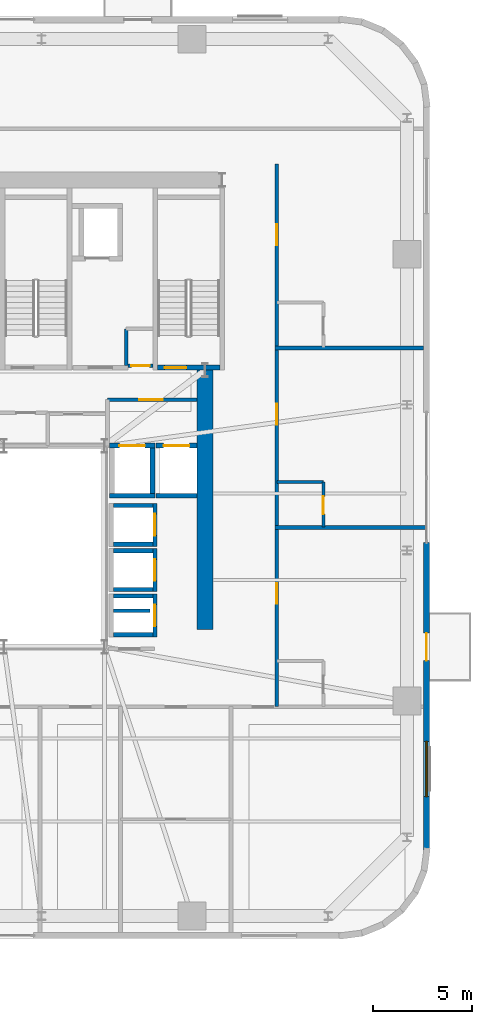
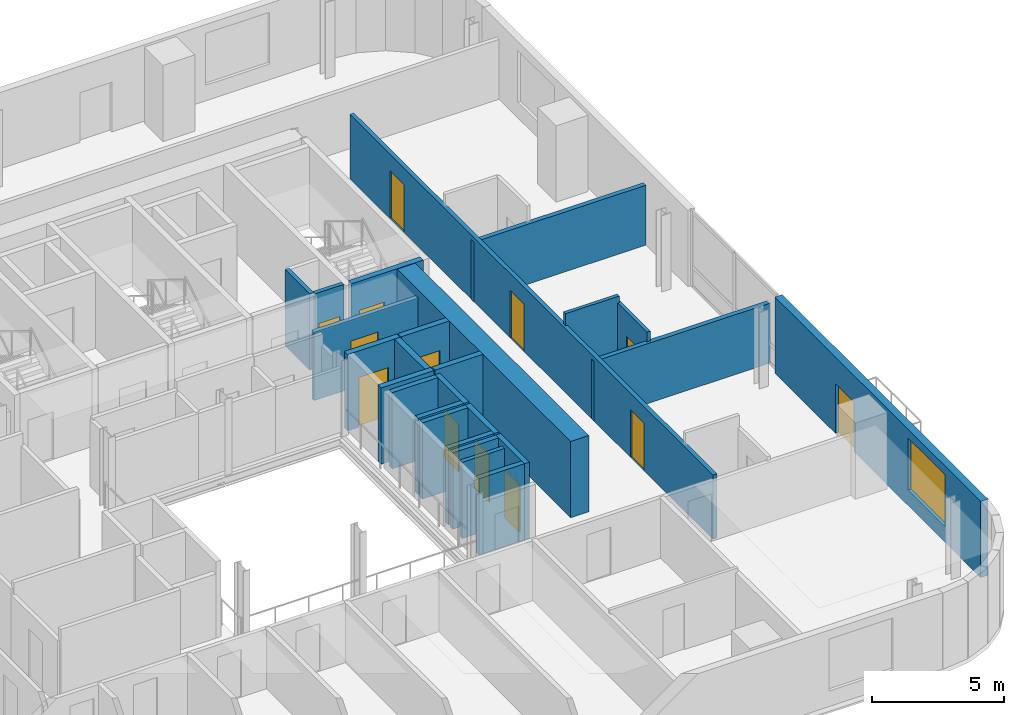
# One storey, part 10 of 17: 26 walls, 13 doors, 1 window, 14 openings.
"""IFC4 building model written with IfcOpenShell, lengths in metres."""

from ifc_helpers import new_model, si_unit, direction, frame, frame_2d, origin, place, context, subcontext, project, spatial, rectangle, extrude, source, transform, mapped, material, layer, layer_set, type_object, element, fill, save


model = new_model("IFC4")

# Units and contexts
model_context = context("Model", 3, precision=1e-05, world=origin(), true_north=direction((0.0, 1.0)))
body_context = subcontext(model_context, "Body", "Model", "MODEL_VIEW")
ifc_project = project(units=[si_unit("LENGTHUNIT", "METRE"), si_unit("AREAUNIT", "SQUARE_METRE"), si_unit("VOLUMEUNIT", "CUBIC_METRE"), si_unit("PLANEANGLEUNIT", "RADIAN"), si_unit("MASSUNIT", "GRAM", prefix="KILO")], contexts=[model_context])

# Site, building, storey
site_placement = place(None, origin())
site = spatial("IfcSite", under=ifc_project, at=site_placement, CompositionType="ELEMENT")
building_placement = place(site_placement, origin())
building = spatial("IfcBuilding", under=site, at=building_placement, Name="Vardaveli Station Tower", CompositionType="ELEMENT")
storey_placement = place(building_placement, frame((0.0, 0.0, 218.550048828125)))
storey = spatial("IfcBuildingStorey", under=building, at=storey_placement, Name="L56", CompositionType="ELEMENT", Elevation=218.550048828125)

# Wall
ifc_material_1 = material(Name="Concrete C50/60", Category="concrete")
ifc_layer_1 = layer(ifc_material_1, 0.800048828125, Name="Concrete C50/60")
ifc_layer_set_1 = layer_set([ifc_layer_1], Name="Concrete C50/60")
wall_type_1 = type_object("IfcWallType", Name="WAL-CORE-800", PredefinedType="SHEAR", material=ifc_layer_set_1)
shared_shape_1 = source(origin(), body_context, "Body", "SweptSolid", [
    extrude(rectangle(XDim=13.14990234375, YDim=0.800048828125, at=frame_2d((6.574951171875, 0.0))), origin(), (0.0, 0.0, 1.0), 3.530029296875),
])
wall_1_placement = place(storey_placement, frame((46.5, 17.5, 0.0), z_axis=(0.0, 0.0, 1.0), x_axis=(0.0, 1.0, 0.0)))
element("IfcWall", 1, at=wall_1_placement, inside=storey, type_object=wall_type_1, Name="SW-L56-EAST2", PredefinedType="SHEAR", context=body_context, shape_type="MappedRepresentation", body=[
    mapped(shared_shape_1, transform((0.0, 0.0, 0.0), scale=1.0)),
])

# Wall, openings, door, window
ifc_material_2 = material(Name="Precast concrete C45/55", Category="concrete")
ifc_layer_2 = layer(ifc_material_2, 0.320068359375, Name="Precast concrete C45/55")
ifc_layer_set_2 = layer_set([ifc_layer_2], Name="Precast concrete C45/55")
wall_type_2 = type_object("IfcWallType", Name="WAL-EXT-STONE-320", PredefinedType="SOLIDWALL", material=ifc_layer_set_2)
shared_shape_2 = source(origin(), body_context, "Body", "SweptSolid", [
    extrude(rectangle(XDim=15.599853515625, YDim=0.320068359375, at=frame_2d((7.7998046875, 0.0))), origin(), (0.0, 0.0, 1.0), 3.530029296875),
])
wall_2_placement = place(storey_placement, frame((57.739990234375, 6.300048828125, 0.0), z_axis=(0.0, 0.0, 1.0), x_axis=(0.0, 1.0, 0.0)))
wall_2 = element("IfcWall", 2, at=wall_2_placement, inside=storey, type_object=wall_type_2, Name="EW-L56-E1", PredefinedType="SOLIDWALL", context=body_context, shape_type="MappedRepresentation", body=[
    mapped(shared_shape_2, transform((0.0, 0.0, 0.0), scale=1.0)),
])
shared_shape_3 = source(origin(), body_context, "Body", "SweptSolid", [
    extrude(rectangle(XDim=1.39990234375, YDim=2.300048828125, at=frame_2d((0.699951171875, 1.14990234375))), frame((0.0, 0.169921875, 0.0), z_axis=(0.0, -1.0, 0.0), x_axis=(1.0, 0.0, 0.0)), (0.0, 0.0, 1.0), 0.340087890625),
])
opening_1_placement = place(wall_2_placement, frame((9.6103515625, 0.0, 0.0)))
opening_1 = element("IfcOpeningElement", 3, at=opening_1_placement, cuts=wall_2, Name="Opening D-09", PredefinedType="OPENING", context=body_context, shape_type="MappedRepresentation", body=[
    mapped(shared_shape_3, transform((0.0, 0.0, 0.0), scale=1.0)),
])
shared_shape_4 = source(origin(), body_context, "Body", "SweptSolid", [
    extrude(rectangle(XDim=2.800048828125, YDim=2.39990234375, at=frame_2d((1.39990234375, 1.199951171875))), frame((0.0, 0.169921875, 0.0), z_axis=(0.0, -1.0, 0.0), x_axis=(1.0, 0.0, 0.0)), (0.0, 0.0, 1.0), 0.340087890625),
])
opening_2_placement = place(wall_2_placement, frame((2.705078125, 0.0, 0.719970703125)))
opening_2 = element("IfcOpeningElement", 4, at=opening_2_placement, cuts=wall_2, Name="Opening W-04", PredefinedType="OPENING", context=body_context, shape_type="MappedRepresentation", body=[
    mapped(shared_shape_4, transform((0.0, 0.0, 0.0), scale=1.0)),
])
ifc_material_3 = material(Name="Thermally broken aluminium glass", Category="aluminium")
door_type_1 = type_object("IfcDoorType", Name="DR-LOG-1400x2300", OperationType="DOUBLE_DOOR_SLIDING", PredefinedType="DOOR", material=ifc_material_3)
shared_shape_5 = source(origin(), body_context, "Body", "SweptSolid", [
    extrude(rectangle(XDim=1.39990234375, YDim=2.300048828125, at=frame_2d((0.699951171875, 1.14990234375))), frame((0.0, 0.02490234375, 0.0), z_axis=(0.0, -1.0, 0.0), x_axis=(1.0, 0.0, 0.0)), (0.0, 0.0, 1.0), 0.050048828125),
])
door_1_placement = place(opening_1_placement, frame((1.39990234375, 0.0, 0.0), z_axis=(0.0, 0.0, 1.0), x_axis=(-1.0, 0.0, 0.0)))
door_1 = element("IfcDoor", 5, at=door_1_placement, inside=storey, type_object=door_type_1, Name="DLG-L56-E", OperationType="DOUBLE_DOOR_SLIDING", OverallHeight=2.300048828125, OverallWidth=1.39990234375, PredefinedType="DOOR", context=body_context, shape_type="MappedRepresentation", body=[
    mapped(shared_shape_5, transform((0.0, 0.0, 0.0), scale=1.0)),
])
fill(opening_1, door_1)
ifc_material_4 = material(Name="Low-E solar-control glass", Category="glass")
window_type = type_object("IfcWindowType", Name="WIN-SUITE-2800x2400", PartitioningType="SINGLE_PANEL", PredefinedType="WINDOW", material=ifc_material_4)
shared_shape_6 = source(origin(), body_context, "Body", "SweptSolid", [
    extrude(rectangle(XDim=2.800048828125, YDim=2.39990234375, at=frame_2d((1.39990234375, 1.199951171875))), frame((0.0, 0.030029296875, 0.0), z_axis=(0.0, -1.0, 0.0), x_axis=(1.0, 0.0, 0.0)), (0.0, 0.0, 1.0), 0.06005859375),
])
window_placement = place(opening_2_placement, origin())
window = element("IfcWindow", 6, at=window_placement, inside=storey, type_object=window_type, Name="WN-L56-E1", OverallHeight=2.39990234375, OverallWidth=2.800048828125, PartitioningType="SINGLE_PANEL", PredefinedType="WINDOW", context=body_context, shape_type="MappedRepresentation", body=[
    mapped(shared_shape_6, transform((0.0, 0.0, 0.0), scale=1.0)),
])
fill(opening_2, window)

# Wall, opening, door
ifc_material_5 = material(Name="Concrete C40/50", Category="concrete")
ifc_layer_3 = layer(ifc_material_5, 0.25, Name="Concrete C40/50")
ifc_layer_set_3 = layer_set([ifc_layer_3], Name="Concrete C40/50")
wall_type_3 = type_object("IfcWallType", Name="WAL-SHAFT-250", PredefinedType="SOLIDWALL", material=ifc_layer_set_3)
shared_shape_7 = source(origin(), body_context, "Body", "SweptSolid", [
    extrude(rectangle(XDim=3.14990234375, YDim=0.25, at=frame_2d((1.574951171875, 0.0))), origin(), (0.0, 0.0, 1.0), 3.550048828125),
])
wall_3_placement = place(storey_placement, frame((44.10009765625, 30.77490234375, 0.0), z_axis=(0.0, 0.0, 1.0), x_axis=(1.0, 0.0, 0.0)))
wall_3 = element("IfcWall", 7, at=wall_3_placement, inside=storey, type_object=wall_type_3, Name="W-L56-ST-3S", PredefinedType="SOLIDWALL", context=body_context, shape_type="MappedRepresentation", body=[
    mapped(shared_shape_7, transform((0.0, 0.0, 0.0), scale=1.0)),
])
shared_shape_8 = source(origin(), body_context, "Body", "SweptSolid", [
    extrude(rectangle(XDim=1.10009765625, YDim=2.199951171875, at=frame_2d((0.550048828125, 1.10009765625))), frame((0.0, 0.135009765625, 0.0), z_axis=(0.0, -1.0, 0.0), x_axis=(1.0, 0.0, 0.0)), (0.0, 0.0, 1.0), 0.27001953125),
])
opening_3_placement = place(wall_3_placement, frame((0.35009765625, 0.0, 0.0)))
opening_3 = element("IfcOpeningElement", 8, at=opening_3_placement, cuts=wall_3, Name="Opening D-04", PredefinedType="OPENING", context=body_context, shape_type="MappedRepresentation", body=[
    mapped(shared_shape_8, transform((0.0, 0.0, 0.0), scale=1.0)),
])
ifc_material_6 = material(Name="Steel smokeproof fire doorset", Category="steel")
door_type_2 = type_object("IfcDoorType", Name="DR-ST-1100x2200", OperationType="NOTDEFINED", PredefinedType="DOOR", material=ifc_material_6)
shared_shape_9 = source(origin(), body_context, "Body", "SweptSolid", [
    extrude(rectangle(XDim=1.10009765625, YDim=2.199951171875, at=frame_2d((0.550048828125, 1.10009765625))), frame((0.0, 0.02490234375, 0.0), z_axis=(0.0, -1.0, 0.0), x_axis=(1.0, 0.0, 0.0)), (0.0, 0.0, 1.0), 0.050048828125),
])
door_2_placement = place(opening_3_placement, origin())
door_2 = element("IfcDoor", 9, at=door_2_placement, inside=storey, type_object=door_type_2, Name="DST-3-L56", OperationType="SINGLE_SWING_LEFT", OverallHeight=2.199951171875, OverallWidth=1.10009765625, PredefinedType="DOOR", context=body_context, shape_type="MappedRepresentation", body=[
    mapped(shared_shape_9, transform((0.0, 0.0, 0.0), scale=1.0)),
])
fill(opening_3, door_2)

# Walls
ifc_layer_4 = layer(ifc_material_5, 0.219970703125, Name="Concrete C40/50")
ifc_layer_set_4 = layer_set([ifc_layer_4], Name="Concrete C40/50")
wall_type_4 = type_object("IfcWallType", Name="WAL-FFLOBBY-220", PredefinedType="SOLIDWALL", material=ifc_layer_set_4)
shared_shape_10 = source(origin(), body_context, "Body", "SweptSolid", [
    extrude(rectangle(XDim=2.0, YDim=0.219970703125, at=frame_2d((1.0, 0.0))), origin(), (0.0, 0.0, 1.0), 3.530029296875),
])
for number, where, z_axis, x_axis, name in (
    (10, (41.85009765625, 21.81494140625, 0.0), (0.0, 0.0, 1.0), (1.0, 0.0, 0.0), "SHW-HL3-01-L56-S"),
    (11, (41.85009765625, 23.784912109375, 0.0), (0.0, 0.0, 1.0), (1.0, 0.0, 0.0), "SHW-HL3-01-L56-N"),
    (12, (41.85009765625, 19.514892578125, 0.0), (0.0, 0.0, 1.0), (1.0, 0.0, 0.0), "SHW-HL3-02-L56-S"),
    (13, (41.85009765625, 21.485107421875, 0.0), (0.0, 0.0, 1.0), (1.0, 0.0, 0.0), "SHW-HL3-02-L56-N"),
    (14, (41.85009765625, 17.215087890625, 0.0), (0.0, 0.0, 1.0), (1.0, 0.0, 0.0), "SHW-HL3-03-L56-S"),
    (15, (41.85009765625, 19.18505859375, 0.0), (0.0, 0.0, 1.0), (1.0, 0.0, 0.0), "SHW-HL3-03-L56-N"),
):
    element("IfcWall", number, at=place(storey_placement, frame(where, z_axis=z_axis, x_axis=x_axis)), inside=storey, type_object=wall_type_4, Name=name, PredefinedType="SOLIDWALL", context=body_context, shape_type="MappedRepresentation", body=[
        mapped(shared_shape_10, transform((0.0, 0.0, 0.0), scale=1.0)),
    ])

# Wall, opening, door
shared_shape_11 = source(origin(), body_context, "Body", "SweptSolid", [
    extrude(rectangle(XDim=2.18994140625, YDim=0.219970703125, at=frame_2d((1.094970703125, 0.0))), origin(), (0.0, 0.0, 1.0), 3.530029296875),
])
wall_4_placement = place(storey_placement, frame((43.9599609375, 21.705078125, 0.0), z_axis=(0.0, 0.0, 1.0), x_axis=(0.0, 1.0, 0.0)))
wall_4 = element("IfcWall", 16, at=wall_4_placement, inside=storey, type_object=wall_type_4, Name="SHW-HL3-01-L56-E", PredefinedType="SOLIDWALL", context=body_context, shape_type="MappedRepresentation", body=[
    mapped(shared_shape_11, transform((0.0, 0.0, 0.0), scale=1.0)),
])
shared_shape_12 = source(origin(), body_context, "Body", "SweptSolid", [
    extrude(rectangle(XDim=1.10009765625, YDim=2.199951171875, at=frame_2d((0.550048828125, 1.10009765625))), frame((0.0, 0.1201171875, 0.0), z_axis=(0.0, -1.0, 0.0), x_axis=(1.0, 0.0, 0.0)), (0.0, 0.0, 1.0), 0.239990234375),
])
opening_4_placement = place(wall_4_placement, frame((0.544921875, 0.0, 0.0)))
opening_4 = element("IfcOpeningElement", 17, at=opening_4_placement, cuts=wall_4, Name="Opening LD-01", PredefinedType="OPENING", context=body_context, shape_type="MappedRepresentation", body=[
    mapped(shared_shape_12, transform((0.0, 0.0, 0.0), scale=1.0)),
])
ifc_material_7 = material(Name="Brushed stainless steel", Category="steel")
door_type_3 = type_object("IfcDoorType", Name="DR-LD-1100x2200", OperationType="DOUBLE_DOOR_SLIDING", PredefinedType="DOOR", material=ifc_material_7)
door_3_placement = place(opening_4_placement, origin())
door_3 = element("IfcDoor", 18, at=door_3_placement, inside=storey, type_object=door_type_3, Name="LD-HL3-01-L56", OperationType="DOUBLE_DOOR_SLIDING", OverallHeight=2.199951171875, OverallWidth=1.10009765625, PredefinedType="DOOR", context=body_context, shape_type="MappedRepresentation", body=[
    mapped(shared_shape_9, transform((0.0, 0.0, 0.0), scale=1.0)),
])
fill(opening_4, door_3)

wall_5_placement = place(storey_placement, frame((43.9599609375, 19.405029296875, 0.0), z_axis=(0.0, 0.0, 1.0), x_axis=(0.0, 1.0, 0.0)))
wall_5 = element("IfcWall", 19, at=wall_5_placement, inside=storey, type_object=wall_type_4, Name="SHW-HL3-02-L56-E", PredefinedType="SOLIDWALL", context=body_context, shape_type="MappedRepresentation", body=[
    mapped(shared_shape_11, transform((0.0, 0.0, 0.0), scale=1.0)),
])
opening_5_placement = place(wall_5_placement, frame((0.544921875, 0.0, 0.0)))
opening_5 = element("IfcOpeningElement", 20, at=opening_5_placement, cuts=wall_5, Name="Opening LD-01", PredefinedType="OPENING", context=body_context, shape_type="MappedRepresentation", body=[
    mapped(shared_shape_12, transform((0.0, 0.0, 0.0), scale=1.0)),
])
door_4_placement = place(opening_5_placement, origin())
door_4 = element("IfcDoor", 21, at=door_4_placement, inside=storey, type_object=door_type_3, Name="LD-HL3-02-L56", OperationType="DOUBLE_DOOR_SLIDING", OverallHeight=2.199951171875, OverallWidth=1.10009765625, PredefinedType="DOOR", context=body_context, shape_type="MappedRepresentation", body=[
    mapped(shared_shape_9, transform((0.0, 0.0, 0.0), scale=1.0)),
])
fill(opening_5, door_4)

wall_6_placement = place(storey_placement, frame((43.9599609375, 17.10498046875, 0.0), z_axis=(0.0, 0.0, 1.0), x_axis=(0.0, 1.0, 0.0)))
wall_6 = element("IfcWall", 22, at=wall_6_placement, inside=storey, type_object=wall_type_4, Name="SHW-HL3-03-L56-E", PredefinedType="SOLIDWALL", context=body_context, shape_type="MappedRepresentation", body=[
    mapped(shared_shape_11, transform((0.0, 0.0, 0.0), scale=1.0)),
])
opening_6_placement = place(wall_6_placement, frame((0.544921875, 0.0, 0.0)))
opening_6 = element("IfcOpeningElement", 23, at=opening_6_placement, cuts=wall_6, Name="Opening LD-01", PredefinedType="OPENING", context=body_context, shape_type="MappedRepresentation", body=[
    mapped(shared_shape_12, transform((0.0, 0.0, 0.0), scale=1.0)),
])
door_5_placement = place(opening_6_placement, origin())
door_5 = element("IfcDoor", 24, at=door_5_placement, inside=storey, type_object=door_type_3, Name="LD-HL3-03-L56", OperationType="DOUBLE_DOOR_SLIDING", OverallHeight=2.199951171875, OverallWidth=1.10009765625, PredefinedType="DOOR", context=body_context, shape_type="MappedRepresentation", body=[
    mapped(shared_shape_9, transform((0.0, 0.0, 0.0), scale=1.0)),
])
fill(opening_6, door_5)

# Wall
shared_shape_13 = source(origin(), body_context, "Body", "SweptSolid", [
    extrude(rectangle(XDim=2.300048828125, YDim=0.25, at=frame_2d((1.14990234375, 0.0))), origin(), (0.0, 0.0, 1.0), 3.530029296875),
])
wall_7_placement = place(storey_placement, frame((41.64990234375, 24.27490234375, 0.0), z_axis=(0.0, 0.0, 1.0), x_axis=(1.0, 0.0, 0.0)))
element("IfcWall", 25, at=wall_7_placement, inside=storey, type_object=wall_type_3, Name="SHW-SRV-01-L56-S", PredefinedType="SOLIDWALL", context=body_context, shape_type="MappedRepresentation", body=[
    mapped(shared_shape_13, transform((0.0, 0.0, 0.0), scale=1.0)),
])

# Wall, opening, door
wall_8_placement = place(storey_placement, frame((41.64990234375, 26.824951171875, 0.0), z_axis=(0.0, 0.0, 1.0), x_axis=(1.0, 0.0, 0.0)))
wall_8 = element("IfcWall", 26, at=wall_8_placement, inside=storey, type_object=wall_type_3, Name="SHW-SRV-01-L56-N", PredefinedType="SOLIDWALL", context=body_context, shape_type="MappedRepresentation", body=[
    mapped(shared_shape_13, transform((0.0, 0.0, 0.0), scale=1.0)),
])
shared_shape_14 = source(origin(), body_context, "Body", "SweptSolid", [
    extrude(rectangle(XDim=1.300048828125, YDim=2.300048828125, at=frame_2d((0.64990234375, 1.14990234375))), frame((0.0, 0.135009765625, 0.0), z_axis=(0.0, -1.0, 0.0), x_axis=(1.0, 0.0, 0.0)), (0.0, 0.0, 1.0), 0.27001953125),
])
opening_7_placement = place(wall_8_placement, frame((0.5, 0.0, 0.0)))
opening_7 = element("IfcOpeningElement", 27, at=opening_7_placement, cuts=wall_8, Name="Opening LD-03", PredefinedType="OPENING", context=body_context, shape_type="MappedRepresentation", body=[
    mapped(shared_shape_14, transform((0.0, 0.0, 0.0), scale=1.0)),
])
door_type_4 = type_object("IfcDoorType", Name="DR-LD-1300x2300", OperationType="DOUBLE_DOOR_SLIDING", PredefinedType="DOOR", material=ifc_material_7)
shared_shape_15 = source(origin(), body_context, "Body", "SweptSolid", [
    extrude(rectangle(XDim=1.300048828125, YDim=2.300048828125, at=frame_2d((0.64990234375, 1.14990234375))), frame((0.0, 0.02490234375, 0.0), z_axis=(0.0, -1.0, 0.0), x_axis=(1.0, 0.0, 0.0)), (0.0, 0.0, 1.0), 0.050048828125),
])
door_6_placement = place(opening_7_placement, origin())
door_6 = element("IfcDoor", 28, at=door_6_placement, inside=storey, type_object=door_type_4, Name="LD-SRV-01-L56", OperationType="DOUBLE_DOOR_SLIDING", OverallHeight=2.300048828125, OverallWidth=1.300048828125, PredefinedType="DOOR", context=body_context, shape_type="MappedRepresentation", body=[
    mapped(shared_shape_15, transform((0.0, 0.0, 0.0), scale=1.0)),
])
fill(opening_7, door_6)

# Walls
wall_9_placement = place(storey_placement, frame((43.824951171875, 24.39990234375, 0.0), z_axis=(0.0, 0.0, 1.0), x_axis=(0.0, 1.0, 0.0)))
element("IfcWall", 29, at=wall_9_placement, inside=storey, type_object=wall_type_3, Name="SHW-SRV-01-L56-E", PredefinedType="SOLIDWALL", context=body_context, shape_type="MappedRepresentation", body=[
    mapped(shared_shape_13, transform((0.0, 0.0, 0.0), scale=1.0)),
])
shared_shape_16 = source(origin(), body_context, "Body", "SweptSolid", [
    extrude(rectangle(XDim=2.10009765625, YDim=0.25, at=frame_2d((1.050048828125, 0.0))), origin(), (0.0, 0.0, 1.0), 3.530029296875),
])
wall_10_placement = place(storey_placement, frame((44.0, 24.27490234375, 0.0), z_axis=(0.0, 0.0, 1.0), x_axis=(1.0, 0.0, 0.0)))
element("IfcWall", 30, at=wall_10_placement, inside=storey, type_object=wall_type_3, Name="SHW-SRV-02-L56-S", PredefinedType="SOLIDWALL", context=body_context, shape_type="MappedRepresentation", body=[
    mapped(shared_shape_16, transform((0.0, 0.0, 0.0), scale=1.0)),
])

# Wall, opening, door
wall_11_placement = place(storey_placement, frame((44.0, 26.824951171875, 0.0), z_axis=(0.0, 0.0, 1.0), x_axis=(1.0, 0.0, 0.0)))
wall_11 = element("IfcWall", 31, at=wall_11_placement, inside=storey, type_object=wall_type_3, Name="SHW-SRV-02-L56-N", PredefinedType="SOLIDWALL", context=body_context, shape_type="MappedRepresentation", body=[
    mapped(shared_shape_16, transform((0.0, 0.0, 0.0), scale=1.0)),
])
opening_8_placement = place(wall_11_placement, frame((0.39990234375, 0.0, 0.0)))
opening_8 = element("IfcOpeningElement", 32, at=opening_8_placement, cuts=wall_11, Name="Opening LD-03", PredefinedType="OPENING", context=body_context, shape_type="MappedRepresentation", body=[
    mapped(shared_shape_14, transform((0.0, 0.0, 0.0), scale=1.0)),
])
door_7_placement = place(opening_8_placement, origin())
door_7 = element("IfcDoor", 33, at=door_7_placement, inside=storey, type_object=door_type_4, Name="LD-SRV-02-L56", OperationType="DOUBLE_DOOR_SLIDING", OverallHeight=2.300048828125, OverallWidth=1.300048828125, PredefinedType="DOOR", context=body_context, shape_type="MappedRepresentation", body=[
    mapped(shared_shape_15, transform((0.0, 0.0, 0.0), scale=1.0)),
])
fill(opening_8, door_7)

ifc_material_8 = material(Name="Fire-rated gypsum stud partition")
ifc_layer_5 = layer(ifc_material_8, 0.179931640625, Name="Fire-rated gypsum stud partition")
ifc_layer_set_5 = layer_set([ifc_layer_5], Name="Fire-rated gypsum stud partition")
wall_type_5 = type_object("IfcWallType", Name="WAL-CORR-180", PredefinedType="PARTITIONING", material=ifc_layer_set_5)
shared_shape_17 = source(origin(), body_context, "Body", "SweptSolid", [
    extrude(rectangle(XDim=4.5478515625, YDim=0.179931640625, at=frame_2d((2.27392578125, 0.0))), origin(), (0.0, 0.0, 1.0), 3.161865234375),
])
wall_12_placement = place(storey_placement, frame((41.550048828125, 29.14990234375, 0.0), z_axis=(0.0, 0.0, 1.0), x_axis=(1.0, 0.0, 0.0)))
wall_12 = element("IfcWall", 34, at=wall_12_placement, inside=storey, type_object=wall_type_5, Name="W-L56-SVFN", PredefinedType="PARTITIONING", context=body_context, shape_type="MappedRepresentation", body=[
    mapped(shared_shape_17, transform((0.0, 0.0, 0.0), scale=1.0)),
])
shared_shape_18 = source(origin(), body_context, "Body", "SweptSolid", [
    extrude(rectangle(XDim=1.199951171875, YDim=2.199951171875, at=frame_2d((0.60009765625, 1.10009765625))), frame((0.0, 0.10009765625, 0.0), z_axis=(0.0, -1.0, 0.0), x_axis=(1.0, 0.0, 0.0)), (0.0, 0.0, 1.0), 0.199951171875),
])
opening_9_placement = place(wall_12_placement, frame((1.60009765625, 0.0, 0.0)))
opening_9 = element("IfcOpeningElement", 35, at=opening_9_placement, cuts=wall_12, Name="Opening D-03", PredefinedType="OPENING", context=body_context, shape_type="MappedRepresentation", body=[
    mapped(shared_shape_18, transform((0.0, 0.0, 0.0), scale=1.0)),
])
door_type_5 = type_object("IfcDoorType", Name="DR-FFL-1200x2200", OperationType="NOTDEFINED", PredefinedType="DOOR", material=ifc_material_6)
shared_shape_19 = source(origin(), body_context, "Body", "SweptSolid", [
    extrude(rectangle(XDim=1.199951171875, YDim=2.199951171875, at=frame_2d((0.60009765625, 1.10009765625))), frame((0.0, 0.02490234375, 0.0), z_axis=(0.0, -1.0, 0.0), x_axis=(1.0, 0.0, 0.0)), (0.0, 0.0, 1.0), 0.050048828125),
])
door_8_placement = place(opening_9_placement, origin())
door_8 = element("IfcDoor", 36, at=door_8_placement, inside=storey, type_object=door_type_5, Name="D-L56-SVF", OperationType="SINGLE_SWING_RIGHT", OverallHeight=2.199951171875, OverallWidth=1.199951171875, PredefinedType="DOOR", context=body_context, shape_type="MappedRepresentation", body=[
    mapped(shared_shape_19, transform((0.0, 0.0, 0.0), scale=1.0)),
])
fill(opening_9, door_8)

shared_shape_20 = source(origin(), body_context, "Body", "SweptSolid", [
    extrude(rectangle(XDim=1.247802734375, YDim=0.179931640625, at=frame_2d((0.6240234375, 0.0))), origin(), (0.0, 0.0, 1.0), 3.530029296875),
])
wall_13_placement = place(storey_placement, frame((42.60009765625, 30.8798828125, 0.0), z_axis=(0.0, 0.0, 1.0), x_axis=(1.0, 0.0, 0.0)))
wall_13 = element("IfcWall", 37, at=wall_13_placement, inside=storey, type_object=wall_type_5, Name="W-L56-CBS2A-S", PredefinedType="PARTITIONING", context=body_context, shape_type="MappedRepresentation", body=[
    mapped(shared_shape_20, transform((0.0, 0.0, 0.0), scale=1.0)),
])
shared_shape_21 = source(origin(), body_context, "Body", "SweptSolid", [
    extrude(rectangle(XDim=0.919921875, YDim=2.10009765625, at=frame_2d((0.4599609375, 1.050048828125))), frame((0.0, 0.10009765625, 0.0), z_axis=(0.0, -1.0, 0.0), x_axis=(1.0, 0.0, 0.0)), (0.0, 0.0, 1.0), 0.199951171875),
])
opening_10_placement = place(wall_13_placement, frame((0.1640625, 0.0, 0.0)))
opening_10 = element("IfcOpeningElement", 38, at=opening_10_placement, cuts=wall_13, Name="Opening D-07", PredefinedType="OPENING", context=body_context, shape_type="MappedRepresentation", body=[
    mapped(shared_shape_21, transform((0.0, 0.0, 0.0), scale=1.0)),
])
ifc_material_9 = material(Name="Moisture-resistant hardwood door", Category="wood")
door_type_6 = type_object("IfcDoorType", Name="DR-WC-920x2100", OperationType="NOTDEFINED", PredefinedType="DOOR", material=ifc_material_9)
shared_shape_22 = source(origin(), body_context, "Body", "SweptSolid", [
    extrude(rectangle(XDim=0.919921875, YDim=2.10009765625, at=frame_2d((0.4599609375, 1.050048828125))), frame((0.0, 0.02490234375, 0.0), z_axis=(0.0, -1.0, 0.0), x_axis=(1.0, 0.0, 0.0)), (0.0, 0.0, 1.0), 0.050048828125),
])
door_9_placement = place(opening_10_placement, origin())
door_9 = element("IfcDoor", 39, at=door_9_placement, inside=storey, type_object=door_type_6, Name="D-L56-CBS1", OperationType="SINGLE_SWING_LEFT", OverallHeight=2.10009765625, OverallWidth=0.919921875, PredefinedType="DOOR", context=body_context, shape_type="MappedRepresentation", body=[
    mapped(shared_shape_22, transform((0.0, 0.0, 0.0), scale=1.0)),
])
fill(opening_10, door_9)

# Walls
ifc_material_10 = material(Name="Acoustic twin-stud gypsum partition")
ifc_layer_6 = layer(ifc_material_10, 0.199951171875, Name="Acoustic twin-stud gypsum partition")
ifc_layer_set_6 = layer_set([ifc_layer_6], Name="Acoustic twin-stud gypsum partition")
wall_type_6 = type_object("IfcWallType", Name="WAL-PARTY-200", PredefinedType="PARTITIONING", material=ifc_layer_set_6)
shared_shape_23 = source(origin(), body_context, "Body", "SweptSolid", [
    extrude(rectangle(XDim=7.52783203125, YDim=0.199951171875, at=frame_2d((3.763916015625, 0.0))), origin(), (0.0, 0.0, 1.0), 2.77197265625),
])
wall_14_placement = place(storey_placement, frame((50.050048828125, 31.777099609375, 0.0), z_axis=(0.0, 0.0, 1.0), x_axis=(1.0, 0.0, 0.0)))
element("IfcWall", 40, at=wall_14_placement, inside=storey, type_object=wall_type_6, Name="W-L56-PE2", PredefinedType="PARTITIONING", context=body_context, shape_type="MappedRepresentation", body=[
    mapped(shared_shape_23, transform((0.0, 0.0, 0.0), scale=1.0)),
])
shared_shape_24 = source(origin(), body_context, "Body", "SweptSolid", [
    extrude(rectangle(XDim=7.719970703125, YDim=0.199951171875, at=frame_2d((3.85986328125, 0.0))), origin(), (0.0, 0.0, 1.0), 2.77197265625),
])
wall_15_placement = place(storey_placement, frame((50.050048828125, 22.673095703125, 0.0), z_axis=(0.0, 0.0, 1.0), x_axis=(1.0, 0.0, 0.0)))
element("IfcWall", 41, at=wall_15_placement, inside=storey, type_object=wall_type_6, Name="W-L56-PE1", PredefinedType="PARTITIONING", context=body_context, shape_type="MappedRepresentation", body=[
    mapped(shared_shape_24, transform((0.0, 0.0, 0.0), scale=1.0)),
])
ifc_material_11 = material(Name="Moisture-resistant stud partition")
ifc_layer_7 = layer(ifc_material_11, 0.14990234375, Name="Moisture-resistant stud partition")
ifc_layer_set_7 = layer_set([ifc_layer_7], Name="Moisture-resistant stud partition")
wall_type_7 = type_object("IfcWallType", Name="WAL-WET-150", PredefinedType="PARTITIONING", material=ifc_layer_set_7)
shared_shape_25 = source(origin(), body_context, "Body", "SweptSolid", [
    extrude(rectangle(XDim=2.360107421875, YDim=0.14990234375, at=frame_2d((1.18017578125, 0.0))), origin(), (0.0, 0.0, 1.0), 3.530029296875),
])
wall_16_placement = place(storey_placement, frame((50.14990234375, 24.98291015625, 0.0), z_axis=(0.0, 0.0, 1.0), x_axis=(1.0, 0.0, 0.0)))
element("IfcWall", 42, at=wall_16_placement, inside=storey, type_object=wall_type_7, Name="W-L56-BE2-N", PredefinedType="PARTITIONING", context=body_context, shape_type="MappedRepresentation", body=[
    mapped(shared_shape_25, transform((0.0, 0.0, 0.0), scale=1.0)),
])
shared_shape_26 = source(origin(), body_context, "Body", "SweptSolid", [
    extrude(rectangle(XDim=1.85791015625, YDim=0.179931640625, at=frame_2d((0.928955078125, 0.0))), origin(), (0.0, 0.0, 1.0), 3.530029296875),
])
for number, where, z_axis, x_axis, name in (
    (43, (41.85205078125, 18.449951171875, 0.0), (0.0, 0.0, 1.0), (1.0, 0.0, 0.0), "W-L56-ATE-N"),
    (44, (42.5, 30.89208984375, 0.0), (0.0, 0.0, 1.0), (0.0, 1.0, 0.0), "W-L56-CBS2A-W"),
):
    element("IfcWall", number, at=place(storey_placement, frame(where, z_axis=z_axis, x_axis=x_axis)), inside=storey, type_object=wall_type_5, Name=name, PredefinedType="PARTITIONING", context=body_context, shape_type="MappedRepresentation", body=[
        mapped(shared_shape_26, transform((0.0, 0.0, 0.0), scale=1.0)),
    ])

# Wall, openings, doors
shared_shape_27 = source(origin(), body_context, "Body", "SweptSolid", [
    extrude(rectangle(XDim=27.530029296875, YDim=0.179931640625, at=frame_2d((13.76513671875, 0.0))), origin(), (0.0, 0.0, 1.0), 2.971923828125),
])
wall_17_placement = place(storey_placement, frame((50.14990234375, 13.570068359375, 0.0), z_axis=(0.0, 0.0, 1.0), x_axis=(0.0, 1.0, 0.0)))
wall_17 = element("IfcWall", 45, at=wall_17_placement, inside=storey, type_object=wall_type_5, Name="W-L56-CE", PredefinedType="PARTITIONING", context=body_context, shape_type="MappedRepresentation", body=[
    mapped(shared_shape_27, transform((0.0, 0.0, 0.0), scale=1.0)),
])
shared_shape_28 = source(origin(), body_context, "Body", "SweptSolid", [
    extrude(rectangle(XDim=1.050048828125, YDim=2.199951171875, at=frame_2d((0.52490234375, 1.10009765625))), frame((0.0, 0.10009765625, 0.0), z_axis=(0.0, -1.0, 0.0), x_axis=(1.0, 0.0, 0.0)), (0.0, 0.0, 1.0), 0.199951171875),
])
opening_11_placement = place(wall_17_placement, frame((5.216796875, 0.0, 0.0)))
opening_11 = element("IfcOpeningElement", 46, at=opening_11_placement, cuts=wall_17, Name="Opening D-05", PredefinedType="OPENING", context=body_context, shape_type="MappedRepresentation", body=[
    mapped(shared_shape_28, transform((0.0, 0.0, 0.0), scale=1.0)),
])
opening_12_placement = place(wall_17_placement, frame((14.320068359375, 0.0, 0.0)))
opening_12 = element("IfcOpeningElement", 47, at=opening_12_placement, cuts=wall_17, Name="Opening D-05", PredefinedType="OPENING", context=body_context, shape_type="MappedRepresentation", body=[
    mapped(shared_shape_28, transform((0.0, 0.0, 0.0), scale=1.0)),
])
opening_13_placement = place(wall_17_placement, frame((23.42333984375, 0.0, 0.0)))
opening_13 = element("IfcOpeningElement", 48, at=opening_13_placement, cuts=wall_17, Name="Opening D-05", PredefinedType="OPENING", context=body_context, shape_type="MappedRepresentation", body=[
    mapped(shared_shape_28, transform((0.0, 0.0, 0.0), scale=1.0)),
])
ifc_material_12 = material(Name="Walnut veneer acoustic fire door")
door_type_7 = type_object("IfcDoorType", Name="DR-SUITE-1050x2200", OperationType="NOTDEFINED", PredefinedType="DOOR", material=ifc_material_12)
shared_shape_29 = source(origin(), body_context, "Body", "SweptSolid", [
    extrude(rectangle(XDim=1.050048828125, YDim=2.199951171875, at=frame_2d((0.52490234375, 1.10009765625))), frame((0.0, 0.02490234375, 0.0), z_axis=(0.0, -1.0, 0.0), x_axis=(1.0, 0.0, 0.0)), (0.0, 0.0, 1.0), 0.050048828125),
])
door_10_placement = place(opening_11_placement, origin())
door_10 = element("IfcDoor", 49, at=door_10_placement, inside=storey, type_object=door_type_7, Name="D-L56-GE1", OperationType="SINGLE_SWING_LEFT", OverallHeight=2.199951171875, OverallWidth=1.050048828125, PredefinedType="DOOR", context=body_context, shape_type="MappedRepresentation", body=[
    mapped(shared_shape_29, transform((0.0, 0.0, 0.0), scale=1.0)),
])
fill(opening_11, door_10)
door_11_placement = place(opening_12_placement, origin())
door_11 = element("IfcDoor", 50, at=door_11_placement, inside=storey, type_object=door_type_7, Name="D-L56-GE2", OperationType="SINGLE_SWING_RIGHT", OverallHeight=2.199951171875, OverallWidth=1.050048828125, PredefinedType="DOOR", context=body_context, shape_type="MappedRepresentation", body=[
    mapped(shared_shape_29, transform((0.0, 0.0, 0.0), scale=1.0)),
])
fill(opening_12, door_11)
door_12_placement = place(opening_13_placement, origin())
door_12 = element("IfcDoor", 51, at=door_12_placement, inside=storey, type_object=door_type_7, Name="D-L56-GE3", OperationType="SINGLE_SWING_LEFT", OverallHeight=2.199951171875, OverallWidth=1.050048828125, PredefinedType="DOOR", context=body_context, shape_type="MappedRepresentation", body=[
    mapped(shared_shape_29, transform((0.0, 0.0, 0.0), scale=1.0)),
])
fill(opening_13, door_12)

# Wall, opening, door
shared_shape_30 = source(origin(), body_context, "Body", "SweptSolid", [
    extrude(rectangle(XDim=2.289794921875, YDim=0.14990234375, at=frame_2d((1.14501953125, 0.0))), origin(), (0.0, 0.0, 1.0), 3.221923828125),
])
wall_18_placement = place(storey_placement, frame((52.510009765625, 22.693115234375, 0.0), z_axis=(0.0, 0.0, 1.0), x_axis=(0.0, 1.0, 0.0)))
wall_18 = element("IfcWall", 52, at=wall_18_placement, inside=storey, type_object=wall_type_7, Name="W-L56-BE2-E", PredefinedType="PARTITIONING", context=body_context, shape_type="MappedRepresentation", body=[
    mapped(shared_shape_30, transform((0.0, 0.0, 0.0), scale=1.0)),
])
shared_shape_31 = source(origin(), body_context, "Body", "SweptSolid", [
    extrude(rectangle(XDim=0.89990234375, YDim=2.10009765625, at=frame_2d((0.449951171875, 1.050048828125))), frame((0.0, 0.0849609375, 0.0), z_axis=(0.0, -1.0, 0.0), x_axis=(1.0, 0.0, 0.0)), (0.0, 0.0, 1.0), 0.169921875),
])
opening_14_placement = place(wall_18_placement, frame((0.64990234375, 0.0, 0.0)))
opening_14 = element("IfcOpeningElement", 53, at=opening_14_placement, cuts=wall_18, Name="Opening D-08", PredefinedType="OPENING", context=body_context, shape_type="MappedRepresentation", body=[
    mapped(shared_shape_31, transform((0.0, 0.0, 0.0), scale=1.0)),
])
ifc_material_13 = material(Name="Moisture-resistant oak door")
door_type_8 = type_object("IfcDoorType", Name="DR-BATH-900x2100", OperationType="NOTDEFINED", PredefinedType="DOOR", material=ifc_material_13)
shared_shape_32 = source(origin(), body_context, "Body", "SweptSolid", [
    extrude(rectangle(XDim=0.89990234375, YDim=2.10009765625, at=frame_2d((0.449951171875, 1.050048828125))), frame((0.0, 0.02490234375, 0.0), z_axis=(0.0, -1.0, 0.0), x_axis=(1.0, 0.0, 0.0)), (0.0, 0.0, 1.0), 0.050048828125),
])
door_13_placement = place(opening_14_placement, origin())
door_13 = element("IfcDoor", 54, at=door_13_placement, inside=storey, type_object=door_type_8, Name="D-L56-BE2", OperationType="SINGLE_SWING_LEFT", OverallHeight=2.10009765625, OverallWidth=0.89990234375, PredefinedType="DOOR", context=body_context, shape_type="MappedRepresentation", body=[
    mapped(shared_shape_32, transform((0.0, 0.0, 0.0), scale=1.0)),
])
fill(opening_14, door_13)

save(model, "model.ifc")
